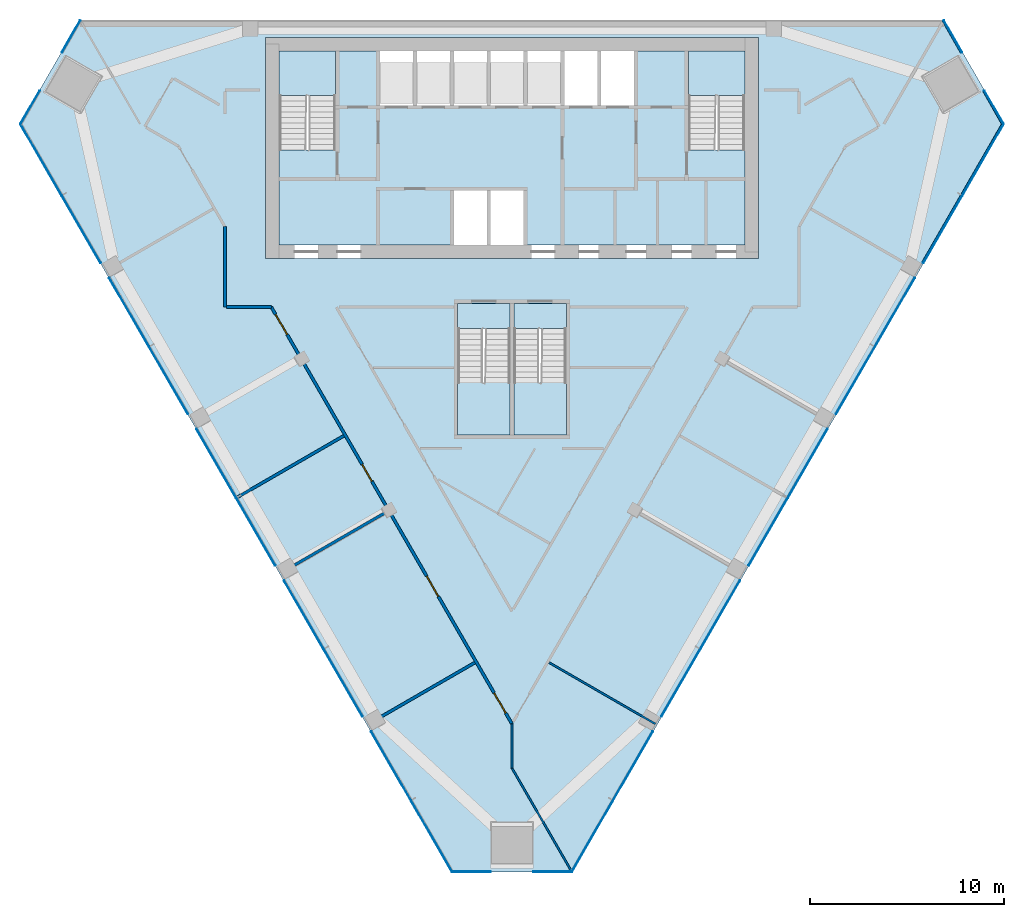
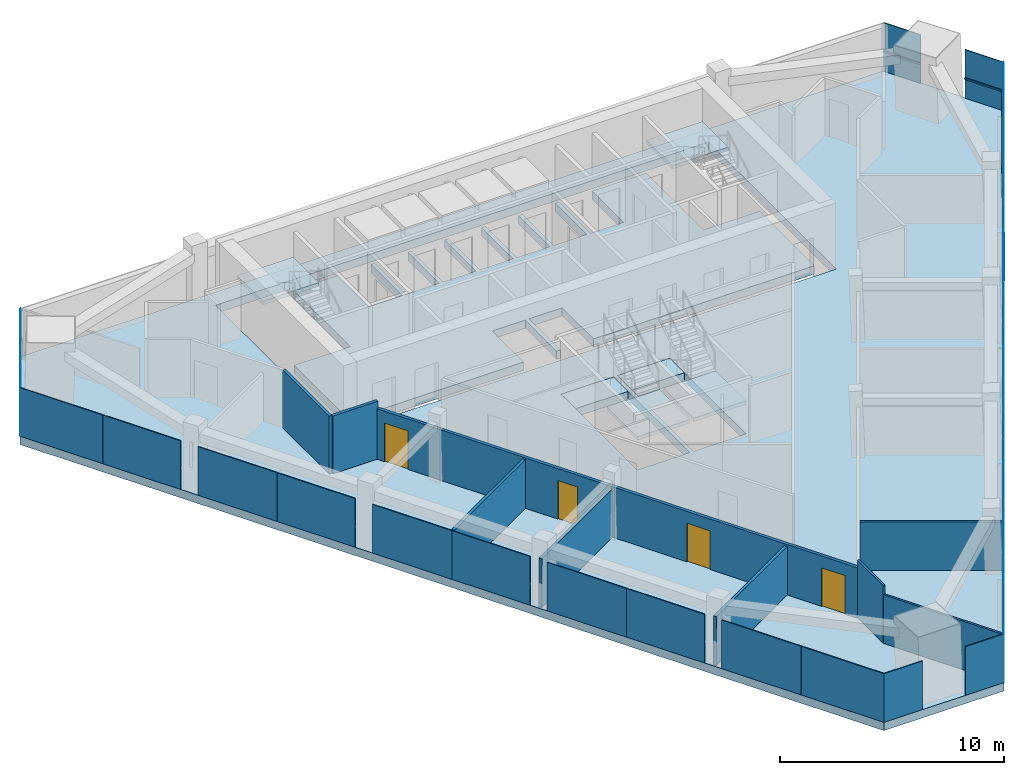
# One storey, part 7 of 12: 26 plates, 9 walls, 8 slabs, 4 doors, 3 members, 4 openings, 9 elements without a shape of their own.
"""IFC4 building model written with IfcOpenShell, lengths in metres."""

from ifc_helpers import new_model, si_unit, direction, frame, frame_2d, origin, origin_2d, place, context, subcontext, project, spatial, polyline, rectangle, outline, extrude, material, layer, layer_set, material_profile, profile_set, type_object, element, fill, aggregate, save


model = new_model("IFC4")

# Units and contexts
model_context = context("Model", 3, precision=1e-05, world=origin(), true_north=direction((0.0, 1.0)))
body_context = subcontext(model_context, "Body", "Model", "MODEL_VIEW")
ifc_project = project(units=[si_unit("LENGTHUNIT", "METRE"), si_unit("AREAUNIT", "SQUARE_METRE"), si_unit("VOLUMEUNIT", "CUBIC_METRE"), si_unit("PLANEANGLEUNIT", "RADIAN"), si_unit("MASSUNIT", "GRAM", prefix="KILO")], contexts=[model_context])

# Site, building, storey
site_placement = place(None, origin())
site = spatial("IfcSite", under=ifc_project, at=site_placement, CompositionType="ELEMENT")
building_placement = place(site_placement, origin())
building = spatial("IfcBuilding", under=site, at=building_placement, Name="Altiplano Prism Tower", CompositionType="ELEMENT")
storey_placement = place(building_placement, frame((0.0, 0.0, 205.199951171875)))
storey = spatial("IfcBuildingStorey", under=building, at=storey_placement, Name="L53", CompositionType="ELEMENT", Elevation=205.199951171875)

# Curtain wall, member
ifc_material_1 = material(Name="Aluminium and glass", Category="aluminium")
ifc_layer_1 = layer(ifc_material_1, 0.303955078125)
ifc_layer_set_1 = layer_set([ifc_layer_1], Name="Aluminium and glass")
curtain_wall_type = type_object("IfcCurtainWallType", Name="CW2 lounge-band unitised glazing", PredefinedType="NOTDEFINED", material=ifc_layer_set_1)
curtain_wall_1_placement = place(storey_placement, origin())
curtain_wall_1 = element("IfcCurtainWall", 1, at=curtain_wall_1_placement, inside=storey, type_object=curtain_wall_type, Name="CW2 curtain wall south-east face L53", PredefinedType="NOTDEFINED")
ifc_material_2 = material(Name="Aluminium", Category="aluminium")
ifc_material_profile = material_profile(ifc_material_2, rectangle(XDim=0.06005859375, YDim=0.080078125, at=origin_2d()), Name="CW2 transom 80 x 60")
ifc_profile_set = profile_set([ifc_material_profile], Name="Aluminium")
member_type = type_object("IfcMemberType", Name="CW2 transom 80 x 60", PredefinedType="USERDEFINED", material=ifc_profile_set)
member_1_placement = place(storey_placement, frame((106.15283203125, 92.501708984375, 1.10009765625), z_axis=(0.49998690732, 0.866032962715, 0.0), x_axis=(-0.866032962715, 0.49998690732, 0.0)))
member_1 = element("IfcMember", 2, at=member_1_placement, type_object=member_type, Name="CW2 transom", ObjectType="TRANSOM", PredefinedType="USERDEFINED", context=body_context, shape_type="SweptSolid", body=[
    extrude(rectangle(XDim=0.06005859375, YDim=0.080078125, at=origin_2d()), origin(), (0.0, 0.0, 1.0), 8.284423828125),
])

# Curtain wall, members
curtain_wall_2_placement = place(storey_placement, origin())
curtain_wall_2 = element("IfcCurtainWall", 3, at=curtain_wall_2_placement, inside=storey, type_object=curtain_wall_type, Name="CW2 curtain wall north-east chamfer L53", PredefinedType="NOTDEFINED")
member_2_placement = place(storey_placement, frame((110.294921875, 99.602294921875, 1.10009765625), z_axis=(-0.499916671148, 0.866073508375, 0.0), x_axis=(-0.866073508375, -0.499916671148, 0.0)))
member_2 = element("IfcMember", 4, at=member_2_placement, type_object=member_type, Name="CW2 transom", ObjectType="TRANSOM", PredefinedType="USERDEFINED", context=body_context, shape_type="SweptSolid", body=[
    extrude(rectangle(XDim=0.06005859375, YDim=0.080078125, at=origin_2d()), origin(), (0.0, 0.0, 1.0), 1.994873046875),
])
member_3_placement = place(storey_placement, frame((108.157470703125, 103.304443359375, 1.10009765625), z_axis=(-0.500005700723, 0.866022112445, 0.0), x_axis=(-0.866022112445, -0.500005700723, 0.0)))
member_3 = element("IfcMember", 5, at=member_3_placement, type_object=member_type, Name="CW2 transom", ObjectType="TRANSOM", PredefinedType="USERDEFINED", context=body_context, shape_type="SweptSolid", body=[
    extrude(rectangle(XDim=0.06005859375, YDim=0.080078125, at=origin_2d()), origin(), (0.0, 0.0, 1.0), 1.9150390625),
])

# Curtain wall, plates
curtain_wall_3_placement = place(storey_placement, origin())
curtain_wall_3 = element("IfcCurtainWall", 6, at=curtain_wall_3_placement, inside=storey, type_object=curtain_wall_type, Name="CW2 curtain wall north-west chamfer L53", PredefinedType="NOTDEFINED")
ifc_material_3 = material(Name="Clear glass", Category="glass")
ifc_layer_2 = layer(ifc_material_3, 0.0439453125)
ifc_layer_set_2 = layer_set([ifc_layer_2], Name="Clear glass")
plate_type = type_object("IfcPlateType", Name="CW2 insulated glass unit 44", PredefinedType="CURTAIN_PANEL", material=ifc_layer_set_2)
plate_1_placement = place(storey_placement, frame((62.276123046875, 104.15966796875, 0.0), z_axis=(0.0, 0.0, 1.0), x_axis=(-0.500000046237, -0.86602537709, 0.0)))
plate_1 = element("IfcPlate", 7, at=plate_1_placement, type_object=plate_type, Name="CW2 panel", PredefinedType="CURTAIN_PANEL", context=body_context, shape_type="SweptSolid", body=[
    extrude(rectangle(XDim=1.905029296875, YDim=0.0439453125, at=origin_2d()), origin(), (0.0, 0.0, 1.0), 2.64990234375),
])
plate_2_placement = place(storey_placement, frame((60.15869140625, 100.4921875, 0.0), z_axis=(0.0, 0.0, 1.0), x_axis=(-0.500000046237, -0.86602537709, 0.0)))
plate_2 = element("IfcPlate", 8, at=plate_2_placement, type_object=plate_type, Name="CW2 panel", PredefinedType="CURTAIN_PANEL", context=body_context, shape_type="SweptSolid", body=[
    extrude(rectangle(XDim=1.985107421875, YDim=0.0439453125, at=origin_2d()), origin(), (0.0, 0.0, 1.0), 2.64990234375),
])
aggregate(curtain_wall_3, [plate_1, plate_2])

curtain_wall_4_placement = place(storey_placement, origin())
curtain_wall_4 = element("IfcCurtainWall", 9, at=curtain_wall_4_placement, inside=storey, type_object=curtain_wall_type, Name="CW2 curtain wall south-west face L53", PredefinedType="NOTDEFINED")
plate_3_placement = place(storey_placement, frame((60.72607421875, 97.803955078125, 0.0), z_axis=(0.0, 0.0, 1.0), x_axis=(0.499999994528, -0.866025406943, 0.0)))
plate_3 = element("IfcPlate", 10, at=plate_3_placement, type_object=plate_type, Name="CW2 panel", PredefinedType="CURTAIN_PANEL", context=body_context, shape_type="SweptSolid", body=[
    extrude(rectangle(XDim=4.254150390625, YDim=0.0439453125, at=origin_2d()), origin(), (0.0, 0.0, 1.0), 2.64990234375),
])
plate_4_placement = place(storey_placement, frame((62.797119140625, 94.216552734375, 0.0), z_axis=(0.0, 0.0, 1.0), x_axis=(0.499999994528, -0.866025406943, 0.0)))
plate_4 = element("IfcPlate", 11, at=plate_4_placement, type_object=plate_type, Name="CW2 panel", PredefinedType="CURTAIN_PANEL", context=body_context, shape_type="SweptSolid", body=[
    extrude(rectangle(XDim=4.010498046875, YDim=0.0439453125, at=origin_2d()), origin(), (0.0, 0.0, 1.0), 2.64990234375),
])
plate_5_placement = place(storey_placement, frame((65.26708984375, 89.938232421875, 0.0), z_axis=(0.0, 0.0, 1.0), x_axis=(0.499999994528, -0.866025406943, 0.0)))
plate_5 = element("IfcPlate", 12, at=plate_5_placement, type_object=plate_type, Name="CW2 panel", PredefinedType="CURTAIN_PANEL", context=body_context, shape_type="SweptSolid", body=[
    extrude(rectangle(XDim=4.08935546875, YDim=0.0439453125, at=origin_2d()), origin(), (0.0, 0.0, 1.0), 2.64990234375),
])
plate_6_placement = place(storey_placement, frame((67.297119140625, 86.42236328125, 0.0), z_axis=(0.0, 0.0, 1.0), x_axis=(0.499999994528, -0.866025406943, 0.0)))
plate_6 = element("IfcPlate", 13, at=plate_6_placement, type_object=plate_type, Name="CW2 panel", PredefinedType="CURTAIN_PANEL", context=body_context, shape_type="SweptSolid", body=[
    extrude(rectangle(XDim=4.010498046875, YDim=0.0439453125, at=origin_2d()), origin(), (0.0, 0.0, 1.0), 2.64990234375),
])
plate_7_placement = place(storey_placement, frame((69.76708984375, 82.14404296875, 0.0), z_axis=(0.0, 0.0, 1.0), x_axis=(0.499999994528, -0.866025406943, 0.0)))
plate_7 = element("IfcPlate", 14, at=plate_7_placement, type_object=plate_type, Name="CW2 panel", PredefinedType="CURTAIN_PANEL", context=body_context, shape_type="SweptSolid", body=[
    extrude(rectangle(XDim=4.08935546875, YDim=0.0439453125, at=origin_2d()), origin(), (0.0, 0.0, 1.0), 2.64990234375),
])
plate_8_placement = place(storey_placement, frame((71.797119140625, 78.628173828125, 0.0), z_axis=(0.0, 0.0, 1.0), x_axis=(0.499999994528, -0.866025406943, 0.0)))
plate_8 = element("IfcPlate", 15, at=plate_8_placement, type_object=plate_type, Name="CW2 panel", PredefinedType="CURTAIN_PANEL", context=body_context, shape_type="SweptSolid", body=[
    extrude(rectangle(XDim=4.010498046875, YDim=0.0439453125, at=origin_2d()), origin(), (0.0, 0.0, 1.0), 2.64990234375),
])
plate_9_placement = place(storey_placement, frame((74.26708984375, 74.349853515625, 0.0), z_axis=(0.0, 0.0, 1.0), x_axis=(0.499999994528, -0.866025406943, 0.0)))
plate_9 = element("IfcPlate", 16, at=plate_9_placement, type_object=plate_type, Name="CW2 panel", PredefinedType="CURTAIN_PANEL", context=body_context, shape_type="SweptSolid", body=[
    extrude(rectangle(XDim=4.08935546875, YDim=0.0439453125, at=origin_2d()), origin(), (0.0, 0.0, 1.0), 2.64990234375),
])
plate_10_placement = place(storey_placement, frame((76.297119140625, 70.833984375, 0.0), z_axis=(0.0, 0.0, 1.0), x_axis=(0.499999994528, -0.866025406943, 0.0)))
plate_10 = element("IfcPlate", 17, at=plate_10_placement, type_object=plate_type, Name="CW2 panel", PredefinedType="CURTAIN_PANEL", context=body_context, shape_type="SweptSolid", body=[
    extrude(rectangle(XDim=4.010498046875, YDim=0.0439453125, at=origin_2d()), origin(), (0.0, 0.0, 1.0), 2.64990234375),
])
plate_11_placement = place(storey_placement, frame((78.76708984375, 66.5556640625, 0.0), z_axis=(0.0, 0.0, 1.0), x_axis=(0.499999994528, -0.866025406943, 0.0)))
plate_11 = element("IfcPlate", 18, at=plate_11_placement, type_object=plate_type, Name="CW2 panel", PredefinedType="CURTAIN_PANEL", context=body_context, shape_type="SweptSolid", body=[
    extrude(rectangle(XDim=4.08935546875, YDim=0.0439453125, at=origin_2d()), origin(), (0.0, 0.0, 1.0), 2.64990234375),
])
plate_12_placement = place(storey_placement, frame((80.858154296875, 62.93408203125, 0.0), z_axis=(0.0, 0.0, 1.0), x_axis=(0.499999994528, -0.866025406943, 0.0)))
plate_12 = element("IfcPlate", 19, at=plate_12_placement, type_object=plate_type, Name="CW2 panel", PredefinedType="CURTAIN_PANEL", context=body_context, shape_type="SweptSolid", body=[
    extrude(rectangle(XDim=4.254150390625, YDim=0.0439453125, at=origin_2d()), origin(), (0.0, 0.0, 1.0), 2.64990234375),
])
aggregate(curtain_wall_4, [plate_3, plate_4, plate_5, plate_6, plate_7, plate_8, plate_9, plate_10, plate_11, plate_12])

curtain_wall_5_placement = place(storey_placement, origin())
curtain_wall_5 = element("IfcCurtainWall", 20, at=curtain_wall_5_placement, inside=storey, type_object=curtain_wall_type, Name="CW2 curtain wall south chamfer L53", PredefinedType="NOTDEFINED")
plate_13_placement = place(storey_placement, frame((82.902587890625, 61.0986328125, 0.0), z_axis=(0.0, 0.0, 1.0), x_axis=(1.0, 0.0, 0.0)))
plate_13 = element("IfcPlate", 21, at=plate_13_placement, type_object=plate_type, Name="CW2 panel", PredefinedType="CURTAIN_PANEL", context=body_context, shape_type="SweptSolid", body=[
    extrude(rectangle(XDim=1.985107421875, YDim=0.0439453125, at=origin_2d()), origin(), (0.0, 0.0, 1.0), 2.64990234375),
])
plate_14_placement = place(storey_placement, frame((87.097412109375, 61.0986328125, 0.0), z_axis=(0.0, 0.0, 1.0), x_axis=(1.0, 0.0, 0.0)))
plate_14 = element("IfcPlate", 22, at=plate_14_placement, type_object=plate_type, Name="CW2 panel", PredefinedType="CURTAIN_PANEL", context=body_context, shape_type="SweptSolid", body=[
    extrude(rectangle(XDim=1.985107421875, YDim=0.0439453125, at=origin_2d()), origin(), (0.0, 0.0, 1.0), 2.64990234375),
])
aggregate(curtain_wall_5, [plate_13, plate_14])

# Plate
plate_15_placement = place(storey_placement, frame((89.141845703125, 62.93408203125, 0.0), z_axis=(0.0, 0.0, 1.0), x_axis=(0.499999994528, 0.866025406943, 0.0)))
plate_15 = element("IfcPlate", 23, at=plate_15_placement, type_object=plate_type, Name="CW2 panel", PredefinedType="CURTAIN_PANEL", context=body_context, shape_type="SweptSolid", body=[
    extrude(rectangle(XDim=4.254150390625, YDim=0.0439453125, at=origin_2d()), origin(), (0.0, 0.0, 1.0), 2.64990234375),
])

plate_16_placement = place(storey_placement, frame((91.23291015625, 66.5556640625, 0.0), z_axis=(0.0, 0.0, 1.0), x_axis=(0.499999994528, 0.866025406943, 0.0)))
plate_16 = element("IfcPlate", 24, at=plate_16_placement, type_object=plate_type, Name="CW2 panel", PredefinedType="CURTAIN_PANEL", context=body_context, shape_type="SweptSolid", body=[
    extrude(rectangle(XDim=4.08935546875, YDim=0.0439453125, at=origin_2d()), origin(), (0.0, 0.0, 1.0), 2.64990234375),
])

plate_17_placement = place(storey_placement, frame((93.702880859375, 70.833984375, 0.0), z_axis=(0.0, 0.0, 1.0), x_axis=(0.499999994528, 0.866025406943, 0.0)))
plate_17 = element("IfcPlate", 25, at=plate_17_placement, type_object=plate_type, Name="CW2 panel", PredefinedType="CURTAIN_PANEL", context=body_context, shape_type="SweptSolid", body=[
    extrude(rectangle(XDim=4.010498046875, YDim=0.0439453125, at=origin_2d()), origin(), (0.0, 0.0, 1.0), 2.64990234375),
])

plate_18_placement = place(storey_placement, frame((95.73291015625, 74.349853515625, 0.0), z_axis=(0.0, 0.0, 1.0), x_axis=(0.499999994528, 0.866025406943, 0.0)))
plate_18 = element("IfcPlate", 26, at=plate_18_placement, type_object=plate_type, Name="CW2 panel", PredefinedType="CURTAIN_PANEL", context=body_context, shape_type="SweptSolid", body=[
    extrude(rectangle(XDim=4.08935546875, YDim=0.0439453125, at=origin_2d()), origin(), (0.0, 0.0, 1.0), 2.64990234375),
])

plate_19_placement = place(storey_placement, frame((98.202880859375, 78.628173828125, 0.0), z_axis=(0.0, 0.0, 1.0), x_axis=(0.499999994528, 0.866025406943, 0.0)))
plate_19 = element("IfcPlate", 27, at=plate_19_placement, type_object=plate_type, Name="CW2 panel", PredefinedType="CURTAIN_PANEL", context=body_context, shape_type="SweptSolid", body=[
    extrude(rectangle(XDim=4.010498046875, YDim=0.0439453125, at=origin_2d()), origin(), (0.0, 0.0, 1.0), 2.64990234375),
])

plate_20_placement = place(storey_placement, frame((100.23291015625, 82.14404296875, 0.0), z_axis=(0.0, 0.0, 1.0), x_axis=(0.499999994528, 0.866025406943, 0.0)))
plate_20 = element("IfcPlate", 28, at=plate_20_placement, type_object=plate_type, Name="CW2 panel", PredefinedType="CURTAIN_PANEL", context=body_context, shape_type="SweptSolid", body=[
    extrude(rectangle(XDim=4.08935546875, YDim=0.0439453125, at=origin_2d()), origin(), (0.0, 0.0, 1.0), 2.64990234375),
])

plate_21_placement = place(storey_placement, frame((102.702880859375, 86.42236328125, 0.0), z_axis=(0.0, 0.0, 1.0), x_axis=(0.499999994528, 0.866025406943, 0.0)))
plate_21 = element("IfcPlate", 29, at=plate_21_placement, type_object=plate_type, Name="CW2 panel", PredefinedType="CURTAIN_PANEL", context=body_context, shape_type="SweptSolid", body=[
    extrude(rectangle(XDim=4.010498046875, YDim=0.0439453125, at=origin_2d()), origin(), (0.0, 0.0, 1.0), 2.64990234375),
])

plate_22_placement = place(storey_placement, frame((104.73291015625, 89.938232421875, 0.0), z_axis=(0.0, 0.0, 1.0), x_axis=(0.499999994528, 0.866025406943, 0.0)))
plate_22 = element("IfcPlate", 30, at=plate_22_placement, type_object=plate_type, Name="CW2 panel", PredefinedType="CURTAIN_PANEL", context=body_context, shape_type="SweptSolid", body=[
    extrude(rectangle(XDim=4.08935546875, YDim=0.0439453125, at=origin_2d()), origin(), (0.0, 0.0, 1.0), 2.64990234375),
])

plate_23_placement = place(storey_placement, frame((107.202880859375, 94.216552734375, 0.0), z_axis=(0.0, 0.0, 1.0), x_axis=(0.499999994528, 0.866025406943, 0.0)))
plate_23 = element("IfcPlate", 31, at=plate_23_placement, type_object=plate_type, Name="CW2 panel", PredefinedType="CURTAIN_PANEL", context=body_context, shape_type="SweptSolid", body=[
    extrude(rectangle(XDim=4.010498046875, YDim=0.0439453125, at=origin_2d()), origin(), (0.0, 0.0, 1.0), 2.64990234375),
])

plate_24_placement = place(storey_placement, frame((109.27392578125, 97.803955078125, 0.0), z_axis=(0.0, 0.0, 1.0), x_axis=(0.499999994528, 0.866025406943, 0.0)))
plate_24 = element("IfcPlate", 32, at=plate_24_placement, type_object=plate_type, Name="CW2 panel", PredefinedType="CURTAIN_PANEL", context=body_context, shape_type="SweptSolid", body=[
    extrude(rectangle(XDim=4.254150390625, YDim=0.0439453125, at=origin_2d()), origin(), (0.0, 0.0, 1.0), 2.64990234375),
])

aggregate(curtain_wall_1, [plate_15, plate_16, plate_17, plate_18, plate_19, plate_20, plate_21, plate_22, member_1, plate_23, plate_24])

plate_25_placement = place(storey_placement, frame((109.84130859375, 100.4921875, 0.0), z_axis=(0.0, 0.0, 1.0), x_axis=(-0.500000046237, 0.86602537709, 0.0)))
plate_25 = element("IfcPlate", 33, at=plate_25_placement, type_object=plate_type, Name="CW2 panel", PredefinedType="CURTAIN_PANEL", context=body_context, shape_type="SweptSolid", body=[
    extrude(rectangle(XDim=1.985107421875, YDim=0.0439453125, at=origin_2d()), origin(), (0.0, 0.0, 1.0), 2.64990234375),
])

plate_26_placement = place(storey_placement, frame((107.723876953125, 104.15966796875, 0.0), z_axis=(0.0, 0.0, 1.0), x_axis=(-0.500000046237, 0.86602537709, 0.0)))
plate_26 = element("IfcPlate", 34, at=plate_26_placement, type_object=plate_type, Name="CW2 panel", PredefinedType="CURTAIN_PANEL", context=body_context, shape_type="SweptSolid", body=[
    extrude(rectangle(XDim=1.905029296875, YDim=0.0439453125, at=origin_2d()), origin(), (0.0, 0.0, 1.0), 2.64990234375),
])

aggregate(curtain_wall_2, [member_2, plate_25, member_3, plate_26])

# Slabs
ifc_material_4 = material(Name="Concrete C40/50", Category="concrete")
ifc_layer_3 = layer(ifc_material_4, 0.449951171875)
ifc_layer_set_3 = layer_set([ifc_layer_3], Name="Concrete C40/50")
slab_type_1 = type_object("IfcSlabType", Name="Core floor slab 450", PredefinedType="FLOOR", material=ifc_layer_set_3)
slab_1_placement = place(storey_placement, frame((0.0, 0.0, -0.449951171875)))
element("IfcSlab", 35, at=slab_1_placement, inside=storey, type_object=slab_type_1, Name="Core floor slab L53", PredefinedType="FLOOR", context=body_context, shape_type="SweptSolid", body=[
    extrude(outline(polyline([(97.0, 98.31005859375), (94.10009765625, 98.31005859375), (94.10009765625, 103.39990234375), (91.300048828125, 103.39990234375), (91.300048828125, 100.60009765625), (89.60009765625, 100.60009765625), (89.60009765625, 103.39990234375), (89.39990234375, 103.39990234375), (89.39990234375, 100.60009765625), (87.699951171875, 100.60009765625), (87.699951171875, 103.39990234375), (87.5, 103.39990234375), (87.5, 100.60009765625), (85.800048828125, 100.60009765625), (85.800048828125, 103.39990234375), (85.60009765625, 103.39990234375), (85.60009765625, 100.60009765625), (83.89990234375, 100.60009765625), (83.89990234375, 103.39990234375), (83.699951171875, 103.39990234375), (83.699951171875, 100.60009765625), (82.0, 100.60009765625), (82.0, 103.39990234375), (81.800048828125, 103.39990234375), (81.800048828125, 100.60009765625), (80.10009765625, 100.60009765625), (80.10009765625, 103.39990234375), (79.89990234375, 103.39990234375), (79.89990234375, 100.60009765625), (78.199951171875, 100.60009765625), (78.199951171875, 103.39990234375), (75.89990234375, 103.39990234375), (75.89990234375, 98.31005859375), (73.0, 98.31005859375), (73.0, 93.39990234375), (82.0, 93.39990234375), (82.0, 96.199951171875), (83.699951171875, 96.199951171875), (83.699951171875, 93.39990234375), (83.89990234375, 93.39990234375), (83.89990234375, 96.199951171875), (85.60009765625, 96.199951171875), (85.60009765625, 93.39990234375), (97.0, 93.39990234375), (97.0, 98.31005859375)])), origin(), (0.0, 0.0, 1.0), 0.449951171875),
])
slab_2_placement = place(storey_placement, frame((0.0, 0.0, -0.449951171875)))
element("IfcSlab", 36, at=slab_2_placement, inside=storey, type_object=slab_type_1, Name="Stair 3A landing slab L53", PredefinedType="FLOOR", context=body_context, shape_type="SweptSolid", body=[
    extrude(outline(polyline([(82.199951171875, 89.096923828125), (84.89990234375, 89.096923828125), (84.89990234375, 90.39990234375), (82.199951171875, 90.39990234375), (82.199951171875, 89.096923828125)])), origin(), (0.0, 0.0, 1.0), 0.449951171875),
])
slab_3_placement = place(storey_placement, frame((0.0, 0.0, -0.449951171875)))
element("IfcSlab", 37, at=slab_3_placement, inside=storey, type_object=slab_type_1, Name="Stair 3B landing slab L53", PredefinedType="FLOOR", context=body_context, shape_type="SweptSolid", body=[
    extrude(outline(polyline([(85.10009765625, 89.096923828125), (87.800048828125, 89.096923828125), (87.800048828125, 90.39990234375), (85.10009765625, 90.39990234375), (85.10009765625, 89.096923828125)])), origin(), (0.0, 0.0, 1.0), 0.449951171875),
])
ifc_layer_4 = layer(ifc_material_4, 0.449951171875)
ifc_layer_set_4 = layer_set([ifc_layer_4], Name="Concrete C40/50")
slab_type_2 = type_object("IfcSlabType", Name="Post-tensioned flat slab 450", PredefinedType="FLOOR", material=ifc_layer_set_4)
slab_4_placement = place(storey_placement, frame((0.0, 0.0, -0.449951171875)))
element("IfcSlab", 38, at=slab_4_placement, inside=storey, type_object=slab_type_2, Name="Floor slab L53", PredefinedType="FLOOR", context=body_context, shape_type="SweptSolid", body=[
    extrude(outline(polyline([(81.905029296875, 61.07666015625), (59.640869140625, 99.639404296875), (62.73583984375, 105.0), (107.26416015625, 105.0), (110.359130859375, 99.639404296875), (88.094970703125, 61.07666015625), (81.905029296875, 61.07666015625)]), holes=[polyline([(72.300048828125, 104.10009765625), (72.300048828125, 92.699951171875), (97.699951171875, 92.699951171875), (97.699951171875, 104.10009765625), (72.300048828125, 104.10009765625)]), polyline([(84.89990234375, 90.39990234375), (82.199951171875, 90.39990234375), (82.199951171875, 83.60009765625), (84.89990234375, 83.60009765625), (84.89990234375, 90.39990234375)]), polyline([(87.800048828125, 83.60009765625), (87.800048828125, 90.39990234375), (85.10009765625, 90.39990234375), (85.10009765625, 83.60009765625), (87.800048828125, 83.60009765625)])]), origin(), (0.0, 0.0, 1.0), 0.449951171875),
])

# Stair, slab
stair_type_1 = type_object("IfcStairType", Name="Exit stair 1400", PredefinedType="HALF_TURN_STAIR", material=ifc_material_4)
stair_1_placement = place(storey_placement, origin())
stair_1 = element("IfcStair", 39, at=stair_1_placement, inside=storey, type_object=stair_type_1, Name="L53 Exit Stair 1", PredefinedType="HALF_TURN_STAIR")
ifc_layer_5 = layer(ifc_material_4, 0.199951171875)
ifc_layer_set_5 = layer_set([ifc_layer_5], Name="Concrete C40/50")
slab_type_3 = type_object("IfcSlabType", Name="Stair landing 200", PredefinedType="LANDING", material=ifc_layer_set_5)
slab_5_placement = place(storey_placement, frame((0.0, 0.0, 1.60009765625)))
slab_5 = element("IfcSlab", 40, at=slab_5_placement, type_object=slab_type_3, Name="ST1 landing 1", PredefinedType="LANDING", context=body_context, shape_type="SweptSolid", body=[
    extrude(outline(polyline([(75.89990234375, 101.096923828125), (75.89990234375, 103.39990234375), (73.0, 103.39990234375), (73.0, 101.096923828125), (75.89990234375, 101.096923828125)])), origin(), (0.0, 0.0, 1.0), 0.199951171875),
])
aggregate(stair_1, [slab_5])

stair_2_placement = place(storey_placement, origin())
stair_2 = element("IfcStair", 41, at=stair_2_placement, inside=storey, type_object=stair_type_1, Name="L53 Exit Stair 2", PredefinedType="HALF_TURN_STAIR")
slab_6_placement = place(storey_placement, frame((0.0, 0.0, 1.60009765625)))
slab_6 = element("IfcSlab", 42, at=slab_6_placement, type_object=slab_type_3, Name="ST2 landing 1", PredefinedType="LANDING", context=body_context, shape_type="SweptSolid", body=[
    extrude(outline(polyline([(97.0, 101.096923828125), (97.0, 103.39990234375), (94.10009765625, 103.39990234375), (94.10009765625, 101.096923828125), (97.0, 101.096923828125)])), origin(), (0.0, 0.0, 1.0), 0.199951171875),
])
aggregate(stair_2, [slab_6])

stair_type_2 = type_object("IfcStairType", Name="Exit stair 1300", PredefinedType="HALF_TURN_STAIR", material=ifc_material_4)
stair_3_placement = place(storey_placement, origin())
stair_3 = element("IfcStair", 43, at=stair_3_placement, inside=storey, type_object=stair_type_2, Name="L53 Exit Stair 3A", PredefinedType="HALF_TURN_STAIR")
slab_7_placement = place(storey_placement, frame((0.0, 0.0, 1.60009765625)))
slab_7 = element("IfcSlab", 44, at=slab_7_placement, type_object=slab_type_3, Name="ST3A landing 1", PredefinedType="LANDING", context=body_context, shape_type="SweptSolid", body=[
    extrude(outline(polyline([(82.199951171875, 86.302978515625), (82.199951171875, 83.60009765625), (84.89990234375, 83.60009765625), (84.89990234375, 86.302978515625), (82.199951171875, 86.302978515625)])), origin(), (0.0, 0.0, 1.0), 0.199951171875),
])
aggregate(stair_3, [slab_7])

stair_4_placement = place(storey_placement, origin())
stair_4 = element("IfcStair", 45, at=stair_4_placement, inside=storey, type_object=stair_type_2, Name="L53 Exit Stair 3B", PredefinedType="HALF_TURN_STAIR")
slab_8_placement = place(storey_placement, frame((0.0, 0.0, 1.60009765625)))
slab_8 = element("IfcSlab", 46, at=slab_8_placement, type_object=slab_type_3, Name="ST3B landing 1", PredefinedType="LANDING", context=body_context, shape_type="SweptSolid", body=[
    extrude(outline(polyline([(85.10009765625, 86.302978515625), (85.10009765625, 83.60009765625), (87.800048828125, 83.60009765625), (87.800048828125, 86.302978515625), (85.10009765625, 86.302978515625)])), origin(), (0.0, 0.0, 1.0), 0.199951171875),
])
aggregate(stair_4, [slab_8])

# Walls
ifc_material_5 = material(Name="Plasterboard on steel stud", Category="steel")
ifc_layer_6 = layer(ifc_material_5, 0.10009765625)
ifc_layer_set_6 = layer_set([ifc_layer_6], Name="Plasterboard on steel stud")
wall_type_1 = type_object("IfcWallType", Name="Partition 100 wet", PredefinedType="PARTITIONING", material=ifc_layer_set_6)
wall_1_placement = place(storey_placement, frame((88.049560546875, 61.1552734375, 0.0), z_axis=(0.0, 0.0, 1.0), x_axis=(-0.499983475832, 0.866034943807, 0.0)))
element("IfcWall", 47, at=wall_1_placement, inside=storey, type_object=wall_type_1, Name="Partition P03 L53 035", PredefinedType="PARTITIONING", context=body_context, shape_type="SweptSolid", body=[
    extrude(rectangle(XDim=6.099365234375, YDim=0.10009765625, at=frame_2d((3.0498046875, 0.0))), origin(), (0.0, 0.0, 1.0), 2.650146484375),
])
wall_2_placement = place(storey_placement, frame((85.0, 66.4375, 0.0), z_axis=(0.0, 0.0, 1.0), x_axis=(0.0, 1.0, 0.0)))
element("IfcWall", 48, at=wall_2_placement, inside=storey, type_object=wall_type_1, Name="Partition P03 L53 036", PredefinedType="PARTITIONING", context=body_context, shape_type="SweptSolid", body=[
    extrude(rectangle(XDim=2.278564453125, YDim=0.10009765625, at=frame_2d((1.13916015625, 0.0))), origin(), (0.0, 0.0, 1.0), 3.150146484375),
])
wall_3_placement = place(storey_placement, frame((92.390380859375, 68.716796875, 0.0), z_axis=(0.0, 0.0, 1.0), x_axis=(-0.866032601554, 0.49998753289, 0.0)))
element("IfcWall", 49, at=wall_3_placement, inside=storey, type_object=wall_type_1, Name="Partition P03 L53 037", PredefinedType="PARTITIONING", context=body_context, shape_type="SweptSolid", body=[
    extrude(rectangle(XDim=6.324951171875, YDim=0.10009765625, at=frame_2d((3.16259765625, 0.0))), origin(), (0.0, 0.0, 1.0), 2.650146484375),
])
ifc_layer_7 = layer(ifc_material_5, 0.14990234375)
ifc_layer_set_7 = layer_set([ifc_layer_7], Name="Plasterboard on steel stud")
wall_type_2 = type_object("IfcWallType", Name="Partition 150 corridor", PredefinedType="PARTITIONING", material=ifc_layer_set_7)
wall_4_placement = place(storey_placement, frame((70.199951171875, 94.350341796875, 0.0), z_axis=(0.0, 0.0, 1.0), x_axis=(0.0, -1.0, 0.0)))
element("IfcWall", 50, at=wall_4_placement, inside=storey, type_object=wall_type_2, Name="Partition P06 L53 004", PredefinedType="PARTITIONING", context=body_context, shape_type="SweptSolid", body=[
    extrude(rectangle(XDim=4.150390625, YDim=0.14990234375, at=frame_2d((2.0751953125, 0.0))), origin(), (0.0, 0.0, 1.0), 3.150146484375),
])
wall_5_placement = place(storey_placement, frame((70.27490234375, 90.199951171875, 0.0), z_axis=(0.0, 0.0, 1.0), x_axis=(1.0, 0.0, 0.0)))
element("IfcWall", 51, at=wall_5_placement, inside=storey, type_object=wall_type_2, Name="Partition P06 L53 005", PredefinedType="PARTITIONING", context=body_context, shape_type="SweptSolid", body=[
    extrude(rectangle(XDim=2.3212890625, YDim=0.14990234375, at=frame_2d((1.16064453125, 0.0))), origin(), (0.0, 0.0, 1.0), 3.150146484375),
])

# Wall, openings, doors
wall_6_placement = place(storey_placement, frame((72.59619140625, 90.199951171875, 0.0), z_axis=(0.0, 0.0, 1.0), x_axis=(0.500002443214, -0.866023993189, 0.0)))
wall_6 = element("IfcWall", 52, at=wall_6_placement, inside=storey, type_object=wall_type_2, Name="Partition P06 L53 006", PredefinedType="PARTITIONING", context=body_context, shape_type="SweptSolid", body=[
    extrude(rectangle(XDim=24.8076171875, YDim=0.14990234375, at=frame_2d((12.40380859375, 0.0))), origin(), (0.0, 0.0, 1.0), 2.75),
])
opening_1_placement = place(wall_6_placement, frame((0.43310546875, 0.0, 0.0)))
opening_1 = element("IfcOpeningElement", 53, at=opening_1_placement, cuts=wall_6, Name="Opening D1834", PredefinedType="OPENING", context=body_context, shape_type="SweptSolid", body=[
    extrude(rectangle(XDim=1.199951171875, YDim=2.10009765625, at=frame_2d((0.60009765625, 1.050048828125))), frame((0.0, 0.08544921875, 0.0), z_axis=(0.0, -1.0, 0.0), x_axis=(1.0, 0.0, 0.0)), (0.0, 0.0, 1.0), 0.1708984375),
])
opening_2_placement = place(wall_6_placement, frame((9.362060546875, 0.0, 0.0)))
opening_2 = element("IfcOpeningElement", 54, at=opening_2_placement, cuts=wall_6, Name="Opening D1835", PredefinedType="OPENING", context=body_context, shape_type="SweptSolid", body=[
    extrude(rectangle(XDim=1.0, YDim=2.10009765625, at=frame_2d((0.5, 1.050048828125))), frame((0.0, 0.08544921875, 0.0), z_axis=(0.0, -1.0, 0.0), x_axis=(1.0, 0.0, 0.0)), (0.0, 0.0, 1.0), 0.1708984375),
])
opening_3_placement = place(wall_6_placement, frame((16.011962890625, 0.0, 0.0)))
opening_3 = element("IfcOpeningElement", 55, at=opening_3_placement, cuts=wall_6, Name="Opening D1836", PredefinedType="OPENING", context=body_context, shape_type="SweptSolid", body=[
    extrude(rectangle(XDim=1.199951171875, YDim=2.10009765625, at=frame_2d((0.60009765625, 1.050048828125))), frame((0.0, 0.08544921875, 0.0), z_axis=(0.0, -1.0, 0.0), x_axis=(1.0, 0.0, 0.0)), (0.0, 0.0, 1.0), 0.1708984375),
])
opening_4_placement = place(wall_6_placement, frame((22.9580078125, 0.0, 0.0)))
opening_4 = element("IfcOpeningElement", 56, at=opening_4_placement, cuts=wall_6, Name="Opening D1837", PredefinedType="OPENING", context=body_context, shape_type="SweptSolid", body=[
    extrude(rectangle(XDim=1.199951171875, YDim=2.10009765625, at=frame_2d((0.60009765625, 1.050048828125))), frame((0.0, 0.08544921875, 0.0), z_axis=(0.0, -1.0, 0.0), x_axis=(1.0, 0.0, 0.0)), (0.0, 0.0, 1.0), 0.1708984375),
])
ifc_material_6 = material(Name="Timber", Category="wood")
door_type_1 = type_object("IfcDoorType", Name="Room door 1000 x 2100", OperationType="NOTDEFINED", PredefinedType="NOTDEFINED", material=ifc_material_6)
door_1_placement = place(opening_2_placement, origin())
door_1 = element("IfcDoor", 57, at=door_1_placement, inside=storey, type_object=door_type_1, Name="Door D1835", OperationType="SINGLE_SWING_LEFT", OverallHeight=2.10009765625, OverallWidth=1.0, PredefinedType="NOTDEFINED", context=body_context, shape_type="SweptSolid", body=[
    extrude(rectangle(XDim=1.0, YDim=2.10009765625, at=frame_2d((0.5, 1.050048828125))), frame((0.0, 0.02490234375, 0.0), z_axis=(0.0, -1.0, 0.0), x_axis=(1.0, 0.0, 0.0)), (0.0, 0.0, 1.0), 0.050048828125),
])
fill(opening_2, door_1)
door_type_2 = type_object("IfcDoorType", Name="Shared room door 1200 x 2100", OperationType="NOTDEFINED", PredefinedType="NOTDEFINED", material=ifc_material_6)
door_2_placement = place(opening_1_placement, origin())
door_2 = element("IfcDoor", 58, at=door_2_placement, inside=storey, type_object=door_type_2, Name="Door D1834", OperationType="SINGLE_SWING_RIGHT", OverallHeight=2.10009765625, OverallWidth=1.199951171875, PredefinedType="NOTDEFINED", context=body_context, shape_type="SweptSolid", body=[
    extrude(rectangle(XDim=1.199951171875, YDim=2.10009765625, at=frame_2d((0.60009765625, 1.050048828125))), frame((0.0, 0.02490234375, 0.0), z_axis=(0.0, -1.0, 0.0), x_axis=(1.0, 0.0, 0.0)), (0.0, 0.0, 1.0), 0.050048828125),
])
fill(opening_1, door_2)
door_3_placement = place(opening_3_placement, origin())
door_3 = element("IfcDoor", 59, at=door_3_placement, inside=storey, type_object=door_type_2, Name="Door D1836", OperationType="SINGLE_SWING_RIGHT", OverallHeight=2.10009765625, OverallWidth=1.199951171875, PredefinedType="NOTDEFINED", context=body_context, shape_type="SweptSolid", body=[
    extrude(rectangle(XDim=1.199951171875, YDim=2.10009765625, at=frame_2d((0.60009765625, 1.050048828125))), frame((0.0, 0.02490234375, 0.0), z_axis=(0.0, -1.0, 0.0), x_axis=(1.0, 0.0, 0.0)), (0.0, 0.0, 1.0), 0.050048828125),
])
fill(opening_3, door_3)
door_4_placement = place(opening_4_placement, origin())
door_4 = element("IfcDoor", 60, at=door_4_placement, inside=storey, type_object=door_type_2, Name="Door D1837", OperationType="SINGLE_SWING_LEFT", OverallHeight=2.10009765625, OverallWidth=1.199951171875, PredefinedType="NOTDEFINED", context=body_context, shape_type="SweptSolid", body=[
    extrude(rectangle(XDim=1.199951171875, YDim=2.10009765625, at=frame_2d((0.60009765625, 1.050048828125))), frame((0.0, 0.02490234375, 0.0), z_axis=(0.0, -1.0, 0.0), x_axis=(1.0, 0.0, 0.0)), (0.0, 0.0, 1.0), 0.050048828125),
])
fill(opening_4, door_4)

# Walls
ifc_layer_8 = layer(ifc_material_5, 0.14990234375)
ifc_layer_set_8 = layer_set([ifc_layer_8], Name="Plasterboard on steel stud")
wall_type_3 = type_object("IfcWallType", Name="Partition 150 party", PredefinedType="PARTITIONING", material=ifc_layer_set_8)
for number, where, z_axis, x_axis, name in (
    (61, (70.859619140625, 80.407958984375, 0.0), (0.0, 0.0, 1.0), (0.866015887322, 0.500016482634, 0.0), "Partition P01 L53 032"),
    (62, (73.109619140625, 76.510986328125, 0.0), (0.0, 0.0, 1.0), (0.866032601554, 0.49998753289, 0.0), "Partition P01 L53 033"),
    (63, (77.609619140625, 68.716796875, 0.0), (0.0, 0.0, 1.0), (0.866032601554, 0.49998753289, 0.0), "Partition P01 L53 034"),
):
    element("IfcWall", number, at=place(storey_placement, frame(where, z_axis=z_axis, x_axis=x_axis)), inside=storey, type_object=wall_type_3, Name=name, PredefinedType="PARTITIONING", context=body_context, shape_type="SweptSolid", body=[
        extrude(rectangle(XDim=6.324951171875, YDim=0.14990234375, at=frame_2d((3.16259765625, 0.0))), origin(), (0.0, 0.0, 1.0), 2.650146484375),
    ])

save(model, "model.ifc")
